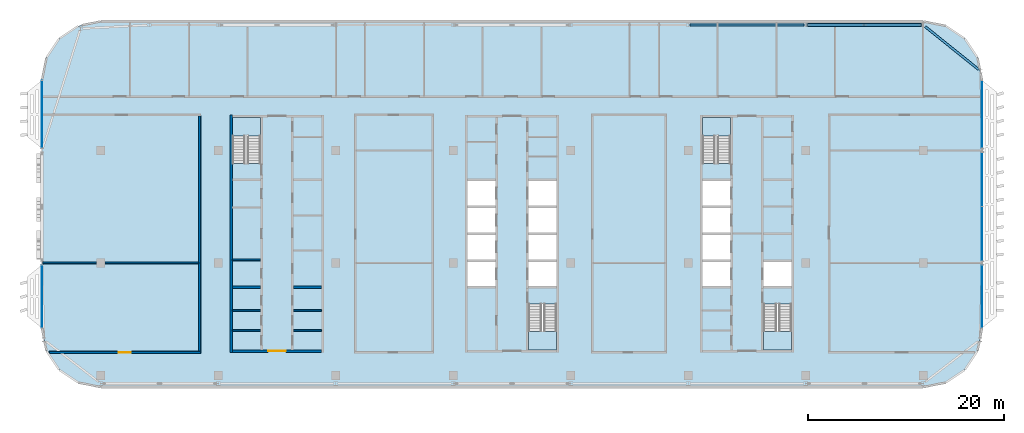
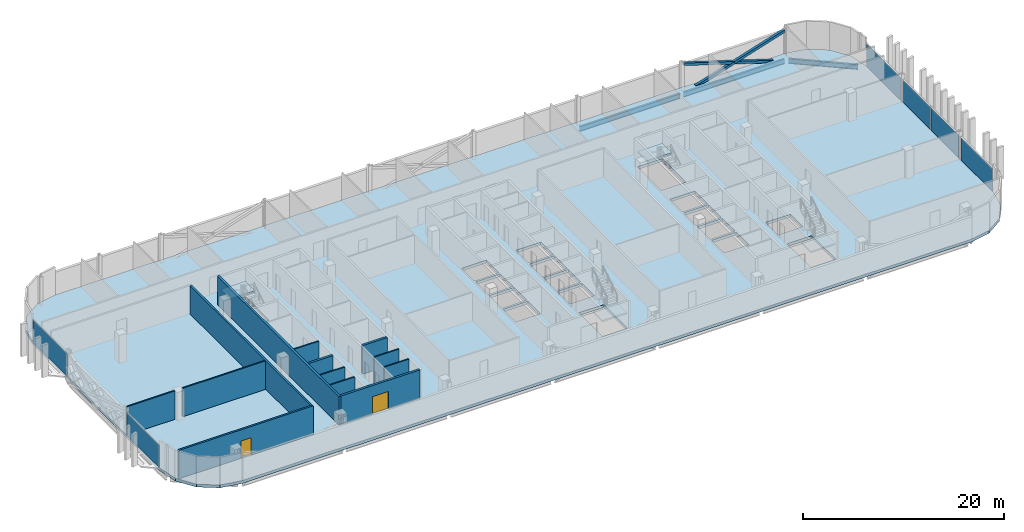
# One storey, part 9 of 25: 13 walls, 6 plates, 5 slabs, 3 beams, 3 members, 2 doors, 2 openings, 9 elements without a shape of their own.
"""IFC4 building model written with IfcOpenShell, lengths in metres."""

from ifc_helpers import new_model, si_unit, direction, frame, frame_2d, origin, origin_2d, place, context, subcontext, project, spatial, polyline, rectangle, hollow_rectangle, i_section, outline, extrude, material, layer, layer_set, material_profile, profile_set, type_object, element, fill, aggregate, save


model = new_model("IFC4")

# Units and contexts
model_context = context("Model", 3, precision=1e-05, world=origin(), true_north=direction((0.0, 1.0)))
body_context = subcontext(model_context, "Body", "Model", "MODEL_VIEW")
ifc_project = project(units=[si_unit("LENGTHUNIT", "METRE"), si_unit("AREAUNIT", "SQUARE_METRE"), si_unit("VOLUMEUNIT", "CUBIC_METRE"), si_unit("PLANEANGLEUNIT", "RADIAN"), si_unit("MASSUNIT", "GRAM", prefix="KILO")], contexts=[model_context])

# Site, building, storey
site_placement = place(None, origin())
site = spatial("IfcSite", under=ifc_project, at=site_placement, CompositionType="ELEMENT")
building_placement = place(site_placement, origin())
building = spatial("IfcBuilding", under=site, at=building_placement, Name="Mahtab Terrace Research Tower", CompositionType="ELEMENT")
storey_placement = place(building_placement, frame((0.0, 0.0, 278.5)))
storey = spatial("IfcBuildingStorey", under=building, at=storey_placement, Name="L68", CompositionType="ELEMENT", Elevation=278.5)

# Members
ifc_material_1 = material(Name="Steel ASTM A500 Gr C", Category="steel")
ifc_material_profile_1 = material_profile(ifc_material_1, hollow_rectangle(XDim=0.3046875, YDim=0.3046875, WallThickness=0.015869140625, at=origin_2d()), Name="HSS12X12X5/8")
ifc_profile_set_1 = profile_set([ifc_material_profile_1], Name="Steel ASTM A500 Gr C")
member_type = type_object("IfcMemberType", Name="HSS 12x12x5/8 brace XB121258", PredefinedType="BRACE", material=ifc_profile_set_1)
member_placement = place(storey_placement, frame((41.80322265625, 24.306884765625, -0.581298828125), z_axis=(-0.953344149173, 0.0, 0.301885629399), x_axis=(0.0, -1.0, 0.0)))
element("IfcMember", 1, at=member_placement, inside=storey, type_object=member_type, Name="Exoskeleton brace L68 02 a", PredefinedType="BRACE", context=body_context, shape_type="SweptSolid", body=[
    extrude(hollow_rectangle(XDim=0.3046875, YDim=0.3046875, WallThickness=0.015869140625, at=origin_2d()), origin(), (0.0, 0.0, 1.0), 12.174560546875),
])
for number, where, z_axis, x_axis, name in (
    (2, (30.19677734375, 24.306884765625, -0.581298828125), (0.953344149173, 0.0, 0.301885629399), (0.0, 1.0, 0.0), "Exoskeleton brace L68 02 b1"),
    (3, (36.0, 24.306884765625, 1.25634765625), (0.953344149173, 0.0, 0.301885629399), (0.0, 1.0, 0.0), "Exoskeleton brace L68 02 b2"),
):
    element("IfcMember", number, at=place(storey_placement, frame(where, z_axis=z_axis, x_axis=x_axis)), inside=storey, type_object=member_type, Name=name, PredefinedType="BRACE", context=body_context, shape_type="SweptSolid", body=[
        extrude(hollow_rectangle(XDim=0.3046875, YDim=0.3046875, WallThickness=0.015869140625, at=origin_2d()), origin(), (0.0, 0.0, 1.0), 6.087158203125),
    ])

# Beams
ifc_material_2 = material(Name="Steel ASTM A992 Gr 50", Category="steel")
ifc_material_profile_2 = material_profile(ifc_material_2, i_section(OverallWidth=0.228271484375, OverallDepth=0.607177734375, WebThickness=0.01123046875, FlangeThickness=0.017333984375, at=origin_2d()), Name="W24X76")
ifc_profile_set_2 = profile_set([ifc_material_profile_2], Name="Steel ASTM A992 Gr 50")
beam_type = type_object("IfcBeamType", Name="W24x76 beam BS2476", PredefinedType="BEAM", material=ifc_profile_set_2)
beam_placement = place(storey_placement, frame((47.66015625, 19.762939453125, -0.6435546875), z_axis=(-0.77980357172, 0.626024272319, 0.0), x_axis=(-0.626024272319, -0.77980357172, 0.0)))
element("IfcBeam", 4, at=beam_placement, inside=storey, type_object=beam_type, Name="Spandrel beam L68 01", PredefinedType="BEAM", context=body_context, shape_type="SweptSolid", body=[
    extrude(i_section(OverallWidth=0.228271484375, OverallDepth=0.607177734375, WebThickness=0.01123046875, FlangeThickness=0.017333984375, at=origin_2d()), origin(), (0.0, 0.0, 1.0), 7.006103515625),
])
for number, where, z_axis, x_axis, name in (
    (5, (41.80322265625, 24.306884765625, -0.6435546875), (-1.0, 0.0, 0.0), (0.0, -1.0, 0.0), "Spandrel beam L68 02"),
    (6, (29.80322265625, 24.306884765625, -0.6435546875), (-1.0, 0.0, 0.0), (0.0, -1.0, 0.0), "Spandrel beam L68 03"),
):
    element("IfcBeam", number, at=place(storey_placement, frame(where, z_axis=z_axis, x_axis=x_axis)), inside=storey, type_object=beam_type, Name=name, PredefinedType="BEAM", context=body_context, shape_type="SweptSolid", body=[
        extrude(i_section(OverallWidth=0.228271484375, OverallDepth=0.607177734375, WebThickness=0.01123046875, FlangeThickness=0.017333984375, at=origin_2d()), origin(), (0.0, 0.0, 1.0), 11.6064453125),
    ])

# Stair, slab
ifc_material_3 = material(Name="Exit stair half-turn")
stair_type = type_object("IfcStairType", Name="Exit stair half-turn", PredefinedType="HALF_TURN_STAIR", material=ifc_material_3)
stair_1_placement = place(storey_placement, origin())
stair_1 = element("IfcStair", 7, at=stair_1_placement, inside=storey, type_object=stair_type, Name="L68 Protected exit stair ST1", PredefinedType="HALF_TURN_STAIR")
ifc_material_4 = material(Name="Concrete C40/50", Category="concrete")
ifc_layer_1 = layer(ifc_material_4, 0.199951171875)
ifc_layer_set_1 = layer_set([ifc_layer_1], Name="Exit stair landing 200")
slab_type_1 = type_object("IfcSlabType", Name="Exit stair landing 200", PredefinedType="LANDING", material=ifc_layer_set_1)
slab_1_placement = place(storey_placement, frame((0.0, 0.0, 1.699951171875)))
slab_1 = element("IfcSlab", 8, at=slab_1_placement, type_object=slab_type_1, Name="ST1 landing 1", PredefinedType="LANDING", context=body_context, shape_type="SweptSolid", body=[
    extrude(outline(polyline([(-25.699951171875, 12.97509765625), (-25.699951171875, 14.875), (-28.550048828125, 14.875), (-28.550048828125, 12.97509765625), (-25.699951171875, 12.97509765625)])), origin(), (0.0, 0.0, 1.0), 0.199951171875),
])
aggregate(stair_1, [slab_1])

stair_2_placement = place(storey_placement, origin())
stair_2 = element("IfcStair", 9, at=stair_2_placement, inside=storey, type_object=stair_type, Name="L68 Protected exit stair ST2", PredefinedType="HALF_TURN_STAIR")
slab_2_placement = place(storey_placement, frame((0.0, 0.0, 1.699951171875)))
slab_2 = element("IfcSlab", 10, at=slab_2_placement, type_object=slab_type_1, Name="ST2 landing 1", PredefinedType="LANDING", context=body_context, shape_type="SweptSolid", body=[
    extrude(outline(polyline([(1.699951171875, -6.97509765625), (1.699951171875, -8.875), (4.550048828125, -8.875), (4.550048828125, -6.97509765625), (1.699951171875, -6.97509765625)])), origin(), (0.0, 0.0, 1.0), 0.199951171875),
])
aggregate(stair_2, [slab_2])

stair_3_placement = place(storey_placement, origin())
stair_3 = element("IfcStair", 11, at=stair_3_placement, inside=storey, type_object=stair_type, Name="L68 Protected exit stair ST3", PredefinedType="HALF_TURN_STAIR")
slab_3_placement = place(storey_placement, frame((0.0, 0.0, 1.699951171875)))
slab_3 = element("IfcSlab", 12, at=slab_3_placement, type_object=slab_type_1, Name="ST3 landing 1", PredefinedType="LANDING", context=body_context, shape_type="SweptSolid", body=[
    extrude(outline(polyline([(22.300048828125, 12.97509765625), (22.300048828125, 14.875), (19.449951171875, 14.875), (19.449951171875, 12.97509765625), (22.300048828125, 12.97509765625)])), origin(), (0.0, 0.0, 1.0), 0.199951171875),
])
aggregate(stair_3, [slab_3])

stair_4_placement = place(storey_placement, origin())
stair_4 = element("IfcStair", 13, at=stair_4_placement, inside=storey, type_object=stair_type, Name="L68 Protected exit stair ST4", PredefinedType="HALF_TURN_STAIR")
slab_4_placement = place(storey_placement, frame((0.0, 0.0, 1.699951171875)))
slab_4 = element("IfcSlab", 14, at=slab_4_placement, type_object=slab_type_1, Name="ST4 landing 1", PredefinedType="LANDING", context=body_context, shape_type="SweptSolid", body=[
    extrude(outline(polyline([(25.699951171875, -6.97509765625), (25.699951171875, -8.875), (28.550048828125, -8.875), (28.550048828125, -6.97509765625), (25.699951171875, -6.97509765625)])), origin(), (0.0, 0.0, 1.0), 0.199951171875),
])
aggregate(stair_4, [slab_4])

# Curtain wall, plate
ifc_material_5 = material(Name="Office ribbon curtain wall")
curtain_wall_type = type_object("IfcCurtainWallType", Name="Office ribbon curtain wall", PredefinedType="NOTDEFINED", material=ifc_material_5)
curtain_wall_1_placement = place(storey_placement, origin())
curtain_wall_1 = element("IfcCurtainWall", 15, at=curtain_wall_1_placement, inside=storey, type_object=curtain_wall_type, Name="EN.L68.8.8", PredefinedType="NOTDEFINED")
ifc_material_6 = material(Name="Dark glazing", Category="glass")
ifc_layer_2 = layer(ifc_material_6, 0.030029296875)
ifc_layer_set_2 = layer_set([ifc_layer_2], Name="Office ribbon curtain wall glazing panel")
plate_type = type_object("IfcPlateType", Name="Office ribbon curtain wall glazing panel", PredefinedType="CURTAIN_PANEL", material=ifc_layer_set_2)
plate_1_placement = place(storey_placement, frame((-48.0, 15.177978515625, 0.0), z_axis=(0.0, 0.0, 1.0), x_axis=(0.0, -1.0, 0.0)))
plate_1 = element("IfcPlate", 16, at=plate_1_placement, type_object=plate_type, Name="CWO-8 panel 1", PredefinedType="CURTAIN_PANEL", context=body_context, shape_type="SweptSolid", body=[
    extrude(rectangle(XDim=6.860107421875, YDim=0.030029296875, at=origin_2d()), origin(), (0.0, 0.0, 1.0), 2.7529296875),
])
aggregate(curtain_wall_1, [plate_1])

curtain_wall_2_placement = place(storey_placement, origin())
curtain_wall_2 = element("IfcCurtainWall", 17, at=curtain_wall_2_placement, inside=storey, type_object=curtain_wall_type, Name="EN.L68.8.10", PredefinedType="NOTDEFINED")
plate_2_placement = place(storey_placement, frame((-48.0, -3.427978515625, 0.0), z_axis=(0.0, 0.0, 1.0), x_axis=(0.0, -1.0, 0.0)))
plate_2 = element("IfcPlate", 18, at=plate_2_placement, type_object=plate_type, Name="CWO-8 panel 1", PredefinedType="CURTAIN_PANEL", context=body_context, shape_type="SweptSolid", body=[
    extrude(rectangle(XDim=6.360107421875, YDim=0.030029296875, at=origin_2d()), origin(), (0.0, 0.0, 1.0), 2.7529296875),
])
aggregate(curtain_wall_2, [plate_2])

curtain_wall_3_placement = place(storey_placement, origin())
curtain_wall_3 = element("IfcCurtainWall", 19, at=curtain_wall_3_placement, inside=storey, type_object=curtain_wall_type, Name="EN.L68.18.22", PredefinedType="NOTDEFINED")
plate_3_placement = place(storey_placement, frame((48.0, -3.427978515625, 0.0), z_axis=(0.0, 0.0, 1.0), x_axis=(0.0, 1.0, 0.0)))
plate_3 = element("IfcPlate", 20, at=plate_3_placement, type_object=plate_type, Name="CWO-8 panel 1", PredefinedType="CURTAIN_PANEL", context=body_context, shape_type="SweptSolid", body=[
    extrude(rectangle(XDim=6.360107421875, YDim=0.030029296875, at=origin_2d()), origin(), (0.0, 0.0, 1.0), 2.7529296875),
])
aggregate(curtain_wall_3, [plate_3])

# Curtain wall, plates
curtain_wall_4_placement = place(storey_placement, origin())
curtain_wall_4 = element("IfcCurtainWall", 21, at=curtain_wall_4_placement, inside=storey, type_object=curtain_wall_type, Name="EN.L68.18.23", PredefinedType="NOTDEFINED")
plate_4_placement = place(storey_placement, frame((48.0, 2.98388671875, 0.0), z_axis=(0.0, 0.0, 1.0), x_axis=(0.0, 1.0, 0.0)))
plate_4 = element("IfcPlate", 22, at=plate_4_placement, type_object=plate_type, Name="CWO-8 panel 1", PredefinedType="CURTAIN_PANEL", context=body_context, shape_type="SweptSolid", body=[
    extrude(rectangle(XDim=5.471923828125, YDim=0.030029296875, at=origin_2d()), origin(), (0.0, 0.0, 1.0), 2.7529296875),
])
plate_5_placement = place(storey_placement, frame((48.0, 8.51611328125, 0.0), z_axis=(0.0, 0.0, 1.0), x_axis=(0.0, 1.0, 0.0)))
plate_5 = element("IfcPlate", 23, at=plate_5_placement, type_object=plate_type, Name="CWO-8 panel 2", PredefinedType="CURTAIN_PANEL", context=body_context, shape_type="SweptSolid", body=[
    extrude(rectangle(XDim=5.471923828125, YDim=0.030029296875, at=origin_2d()), origin(), (0.0, 0.0, 1.0), 2.7529296875),
])
aggregate(curtain_wall_4, [plate_4, plate_5])

# Curtain wall, plate
curtain_wall_5_placement = place(storey_placement, origin())
curtain_wall_5 = element("IfcCurtainWall", 24, at=curtain_wall_5_placement, inside=storey, type_object=curtain_wall_type, Name="EN.L68.18.24", PredefinedType="NOTDEFINED")
plate_6_placement = place(storey_placement, frame((48.0, 15.177978515625, 0.0), z_axis=(0.0, 0.0, 1.0), x_axis=(0.0, 1.0, 0.0)))
plate_6 = element("IfcPlate", 25, at=plate_6_placement, type_object=plate_type, Name="CWO-8 panel 1", PredefinedType="CURTAIN_PANEL", context=body_context, shape_type="SweptSolid", body=[
    extrude(rectangle(XDim=6.860107421875, YDim=0.030029296875, at=origin_2d()), origin(), (0.0, 0.0, 1.0), 2.7529296875),
])
aggregate(curtain_wall_5, [plate_6])

# Slab
ifc_layer_3 = layer(ifc_material_4, 0.340087890625)
ifc_layer_set_3 = layer_set([ifc_layer_3], Name="PT flat slab 340")
slab_type_2 = type_object("IfcSlabType", Name="PT flat slab 340", PredefinedType="FLOOR", material=ifc_layer_set_3)
slab_5_placement = place(storey_placement, frame((0.0, 0.0, -0.340087890625)))
element("IfcSlab", 26, at=slab_5_placement, inside=storey, type_object=slab_type_2, Name="Floor slab L68", PredefinedType="FLOOR", context=body_context, shape_type="SweptSolid", body=[
    extrude(outline(polyline([(47.54296875, 20.964111328125), (46.242919921875, 22.910888671875), (44.2958984375, 24.2109375), (42.0, 24.66796875), (-42.0, 24.66796875), (-44.2958984375, 24.2109375), (-46.242919921875, 22.910888671875), (-47.54296875, 20.964111328125), (-48.0, 18.66796875), (-48.0, -6.66796875), (-47.54296875, -8.964111328125), (-46.242919921875, -10.910888671875), (-44.2958984375, -12.2109375), (-42.0, -12.66796875), (42.0, -12.66796875), (44.2958984375, -12.2109375), (46.242919921875, -10.910888671875), (47.54296875, -8.964111328125), (48.0, -6.66796875), (48.0, 18.66796875), (47.54296875, 20.964111328125)]), holes=[polyline([(-4.550048828125, -2.375), (-4.550048828125, 0.125), (-1.699951171875, 0.125), (-1.699951171875, -2.375), (-4.550048828125, -2.375)]), polyline([(1.699951171875, -2.375), (1.699951171875, 0.125), (4.550048828125, 0.125), (4.550048828125, -2.375), (1.699951171875, -2.375)]), polyline([(-4.550048828125, 0.375), (-4.550048828125, 2.875), (-1.699951171875, 2.875), (-1.699951171875, 0.375), (-4.550048828125, 0.375)]), polyline([(1.699951171875, 0.375), (1.699951171875, 2.875), (4.550048828125, 2.875), (4.550048828125, 0.375), (1.699951171875, 0.375)]), polyline([(-4.550048828125, 3.125), (-4.550048828125, 5.625), (-1.699951171875, 5.625), (-1.699951171875, 3.125), (-4.550048828125, 3.125)]), polyline([(1.699951171875, 3.125), (1.699951171875, 5.625), (4.550048828125, 5.625), (4.550048828125, 3.125), (1.699951171875, 3.125)]), polyline([(-4.550048828125, 5.875), (-4.550048828125, 8.375), (-1.699951171875, 8.375), (-1.699951171875, 5.875), (-4.550048828125, 5.875)]), polyline([(1.699951171875, 5.875), (1.699951171875, 8.375), (4.550048828125, 8.375), (4.550048828125, 5.875), (1.699951171875, 5.875)]), polyline([(-28.550048828125, 10.177001953125), (-28.550048828125, 14.875), (-25.699951171875, 14.875), (-25.699951171875, 10.177001953125), (-28.550048828125, 10.177001953125)]), polyline([(1.699951171875, -8.875), (1.699951171875, -4.177001953125), (4.550048828125, -4.177001953125), (4.550048828125, -8.875), (1.699951171875, -8.875)]), polyline([(25.699951171875, -8.875), (25.699951171875, -4.177001953125), (28.550048828125, -4.177001953125), (28.550048828125, -8.875), (25.699951171875, -8.875)]), polyline([(19.449951171875, -2.375), (19.449951171875, 0.125), (22.300048828125, 0.125), (22.300048828125, -2.375), (19.449951171875, -2.375)]), polyline([(25.699951171875, -2.375), (25.699951171875, 0.125), (28.550048828125, 0.125), (28.550048828125, -2.375), (25.699951171875, -2.375)]), polyline([(19.449951171875, 0.375), (19.449951171875, 2.875), (22.300048828125, 2.875), (22.300048828125, 0.375), (19.449951171875, 0.375)]), polyline([(19.449951171875, 3.125), (19.449951171875, 5.625), (22.300048828125, 5.625), (22.300048828125, 3.125), (19.449951171875, 3.125)]), polyline([(19.449951171875, 8.375), (22.300048828125, 8.375), (22.300048828125, 5.875), (19.449951171875, 5.875), (19.449951171875, 8.375)]), polyline([(19.449951171875, 14.875), (22.300048828125, 14.875), (22.300048828125, 10.177001953125), (19.449951171875, 10.177001953125), (19.449951171875, 14.875)])]), origin(), (0.0, 0.0, 1.0), 0.340087890625),
])

# Walls
ifc_material_7 = material(Name="Gypsum board partition")
ifc_layer_4 = layer(ifc_material_7, 0.14990234375)
ifc_layer_set_4 = layer_set([ifc_layer_4], Name="Core partition 150")
wall_type_1 = type_object("IfcWallType", Name="Core partition 150", PredefinedType="PARTITIONING", material=ifc_layer_set_4)
for number, where, z_axis, x_axis, name in (
    (27, (-28.550048828125, 0.3125, 0.0), (0.0, 0.0, 1.0), (1.0, 0.0, 0.0), "Core wall A pWL-269"),
    (28, (-28.550048828125, -6.875, 0.0), (0.0, 0.0, 1.0), (1.0, 0.0, 0.0), "Core wall A pWS-988"),
    (29, (-28.550048828125, -4.875, 0.0), (0.0, 0.0, 1.0), (1.0, 0.0, 0.0), "Core wall A pWS-788"),
    (30, (-22.300048828125, -6.875, 0.0), (0.0, 0.0, 1.0), (1.0, 0.0, 0.0), "Core wall A pES-988"),
    (31, (-22.300048828125, -4.875, 0.0), (0.0, 0.0, 1.0), (1.0, 0.0, 0.0), "Core wall A pES-788"),
):
    element("IfcWall", number, at=place(storey_placement, frame(where, z_axis=z_axis, x_axis=x_axis)), inside=storey, type_object=wall_type_1, Name=name, PredefinedType="PARTITIONING", context=body_context, shape_type="SweptSolid", body=[
        extrude(rectangle(XDim=2.85009765625, YDim=0.14990234375, at=frame_2d((1.425048828125, 0.0))), origin(), (0.0, 0.0, 1.0), 3.4599609375),
    ])
ifc_material_8 = material(Name="Concrete C70/85", Category="concrete")
ifc_layer_5 = layer(ifc_material_8, 0.25)
ifc_layer_set_5 = layer_set([ifc_layer_5], Name="Core wall 250")
wall_type_2 = type_object("IfcWallType", Name="Core wall 250", PredefinedType="SOLIDWALL", material=ifc_layer_set_5)
wall_1_placement = place(storey_placement, frame((-28.675048828125, 15.125, 0.0), z_axis=(0.0, 0.0, 1.0), x_axis=(0.0, -1.0, 0.0)))
element("IfcWall", 32, at=wall_1_placement, inside=storey, type_object=wall_type_2, Name="Core wall A outerW", PredefinedType="SOLIDWALL", context=body_context, shape_type="SweptSolid", body=[
    extrude(rectangle(XDim=24.25, YDim=0.25, at=frame_2d((12.125, 0.0))), origin(), (0.0, 0.0, 1.0), 3.4599609375),
])

# Wall, opening, door
wall_2_placement = place(storey_placement, frame((-19.449951171875, -9.0, 0.0), z_axis=(0.0, 0.0, 1.0), x_axis=(-1.0, 0.0, 0.0)))
wall_2 = element("IfcWall", 33, at=wall_2_placement, inside=storey, type_object=wall_type_2, Name="Core wall A endS", PredefinedType="SOLIDWALL", context=body_context, shape_type="SweptSolid", body=[
    extrude(rectangle(XDim=9.10009765625, YDim=0.25, at=frame_2d((4.550048828125, 0.0))), origin(), (0.0, 0.0, 1.0), 3.4599609375),
])
opening_1_placement = place(wall_2_placement, frame((3.64990234375, 0.0, 0.0)))
opening_1 = element("IfcOpeningElement", 34, at=opening_1_placement, cuts=wall_2, Name="Opening A-S1", PredefinedType="OPENING", context=body_context, shape_type="SweptSolid", body=[
    extrude(rectangle(XDim=1.800048828125, YDim=2.10009765625, at=frame_2d((0.89990234375, 1.050048828125))), frame((0.0, 0.135009765625, 0.0), z_axis=(0.0, -1.0, 0.0), x_axis=(1.0, 0.0, 0.0)), (0.0, 0.0, 1.0), 0.27001953125),
])
ifc_material_9 = material(Name="Steel fire door", Category="steel")
door_type_1 = type_object("IfcDoorType", Name="Lobby double door 1800x2100 1 HR", OperationType="DOUBLE_DOOR_SINGLE_SWING", PredefinedType="DOOR", material=ifc_material_9)
door_1_placement = place(opening_1_placement, origin())
door_1 = element("IfcDoor", 35, at=door_1_placement, inside=storey, type_object=door_type_1, Name="Core entrance door A S", OperationType="DOUBLE_DOOR_SINGLE_SWING", OverallHeight=2.10009765625, OverallWidth=1.800048828125, PredefinedType="DOOR", context=body_context, shape_type="SweptSolid", body=[
    extrude(rectangle(XDim=1.800048828125, YDim=2.10009765625, at=frame_2d((0.89990234375, 1.050048828125))), frame((0.0, 0.02490234375, 0.0), z_axis=(0.0, -1.0, 0.0), x_axis=(1.0, 0.0, 0.0)), (0.0, 0.0, 1.0), 0.050048828125),
])
fill(opening_1, door_1)

# Walls
for number, where, z_axis, x_axis, name in (
    (36, (-28.550048828125, -2.5, 0.0), (0.0, 0.0, 1.0), (1.0, 0.0, 0.0), "Core wall A divW0"),
    (37, (-22.300048828125, -2.5, 0.0), (0.0, 0.0, 1.0), (1.0, 0.0, 0.0), "Core wall A divE0"),
):
    element("IfcWall", number, at=place(storey_placement, frame(where, z_axis=z_axis, x_axis=x_axis)), inside=storey, type_object=wall_type_2, Name=name, PredefinedType="SOLIDWALL", context=body_context, shape_type="SweptSolid", body=[
        extrude(rectangle(XDim=2.85009765625, YDim=0.25, at=frame_2d((1.425048828125, 0.0))), origin(), (0.0, 0.0, 1.0), 3.4599609375),
    ])

# Wall, opening, door
ifc_material_10 = material(Name="Gypsum board corridor wall on steel studs", Category="steel")
ifc_layer_6 = layer(ifc_material_10, 0.199951171875)
ifc_layer_set_6 = layer_set([ifc_layer_6], Name="WALL CORRIDOR 200")
wall_type_3 = type_object("IfcWallType", Name="WALL CORRIDOR 200", PredefinedType="PARTITIONING", material=ifc_layer_set_6)
wall_3_placement = place(storey_placement, frame((-47.25537109375, -9.125, 0.0), z_axis=(0.0, 0.0, 1.0), x_axis=(1.0, 0.0, 0.0)))
wall_3 = element("IfcWall", 38, at=wall_3_placement, inside=storey, type_object=wall_type_3, Name="L68-W001", PredefinedType="PARTITIONING", context=body_context, shape_type="SweptSolid", body=[
    extrude(rectangle(XDim=15.455322265625, YDim=0.199951171875, at=frame_2d((7.7275390625, 0.0))), origin(), (0.0, 0.0, 1.0), 3.4599609375),
])
opening_2_placement = place(wall_3_placement, frame((7.10009765625, 0.0, 0.0)))
opening_2 = element("IfcOpeningElement", 39, at=opening_2_placement, cuts=wall_3, Name="Opening L68-101", PredefinedType="OPENING", context=body_context, shape_type="SweptSolid", body=[
    extrude(rectangle(XDim=1.199951171875, YDim=2.10009765625, at=frame_2d((0.60009765625, 1.050048828125))), frame((0.0, 0.10986328125, 0.0), z_axis=(0.0, -1.0, 0.0), x_axis=(1.0, 0.0, 0.0)), (0.0, 0.0, 1.0), 0.219970703125),
])
ifc_material_11 = material(Name="Timber door leaf in steel frame", Category="steel")
door_type_2 = type_object("IfcDoorType", Name="DOOR 1200X2100 FD30S", OperationType="SINGLE_SWING_LEFT", PredefinedType="DOOR", material=ifc_material_11)
door_2_placement = place(opening_2_placement, origin())
door_2 = element("IfcDoor", 40, at=door_2_placement, inside=storey, type_object=door_type_2, Name="Door L68-101", OperationType="SINGLE_SWING_LEFT", OverallHeight=2.10009765625, OverallWidth=1.199951171875, PredefinedType="DOOR", context=body_context, shape_type="SweptSolid", body=[
    extrude(rectangle(XDim=1.199951171875, YDim=2.10009765625, at=frame_2d((0.60009765625, 1.050048828125))), frame((0.0, 0.02490234375, 0.0), z_axis=(0.0, -1.0, 0.0), x_axis=(1.0, 0.0, 0.0)), (0.0, 0.0, 1.0), 0.050048828125),
])
fill(opening_2, door_2)

# Walls
wall_4_placement = place(storey_placement, frame((-31.89990234375, -9.02490234375, 0.0), z_axis=(0.0, 0.0, 1.0), x_axis=(0.0, 1.0, 0.0)))
element("IfcWall", 41, at=wall_4_placement, inside=storey, type_object=wall_type_3, Name="L68-W021", PredefinedType="PARTITIONING", context=body_context, shape_type="SweptSolid", body=[
    extrude(rectangle(XDim=24.0498046875, YDim=0.199951171875, at=frame_2d((12.02490234375, 0.0))), origin(), (0.0, 0.0, 1.0), 3.4599609375),
])
ifc_material_12 = material(Name="Gypsum board partition on steel studs", Category="steel")
ifc_layer_7 = layer(ifc_material_12, 0.14990234375)
ifc_layer_set_7 = layer_set([ifc_layer_7], Name="WALL PARTITION 150")
wall_type_4 = type_object("IfcWallType", Name="WALL PARTITION 150", PredefinedType="PARTITIONING", material=ifc_layer_set_7)
wall_5_placement = place(storey_placement, frame((-47.97509765625, 0.0, 0.0), z_axis=(0.0, 0.0, 1.0), x_axis=(1.0, 0.0, 0.0)))
element("IfcWall", 42, at=wall_5_placement, inside=storey, type_object=wall_type_4, Name="L68-W005", PredefinedType="PARTITIONING", context=body_context, shape_type="SweptSolid", body=[
    extrude(rectangle(XDim=5.525146484375, YDim=0.14990234375, at=frame_2d((2.7626953125, 0.0))), origin(), (0.0, 0.0, 1.0), 3.4599609375),
])
wall_6_placement = place(storey_placement, frame((-41.550048828125, 0.0, 0.0), z_axis=(0.0, 0.0, 1.0), x_axis=(1.0, 0.0, 0.0)))
element("IfcWall", 43, at=wall_6_placement, inside=storey, type_object=wall_type_4, Name="L68-W006", PredefinedType="PARTITIONING", context=body_context, shape_type="SweptSolid", body=[
    extrude(rectangle(XDim=9.550048828125, YDim=0.14990234375, at=frame_2d((4.77490234375, 0.0))), origin(), (0.0, 0.0, 1.0), 3.4599609375),
])

save(model, "model.ifc")
